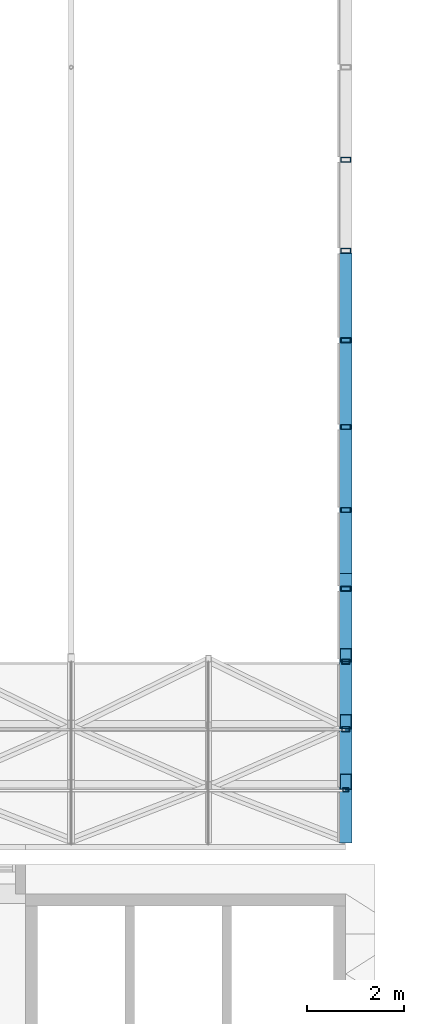
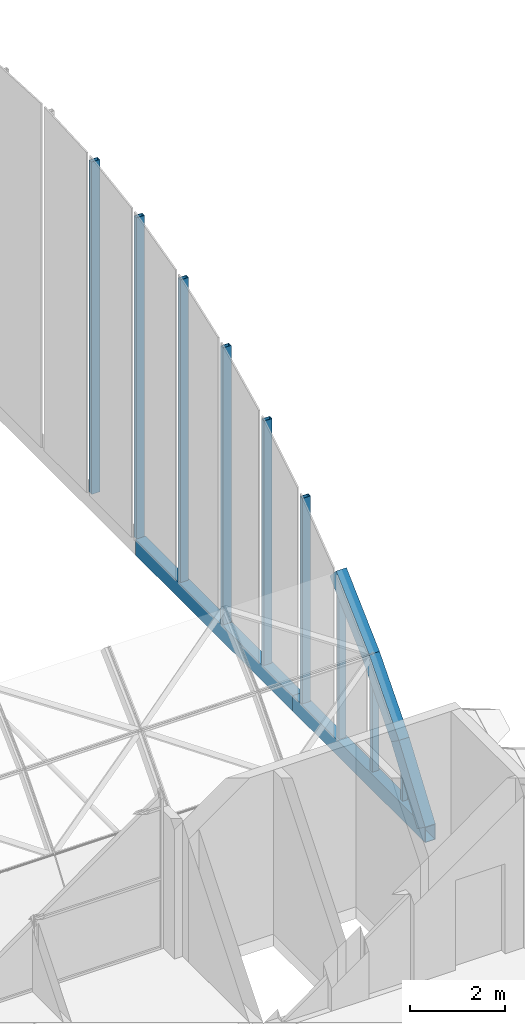
# One storey, part 30 of 109: 12 members, 2 beams.
"""IFC4 building model written with IfcOpenShell, lengths in metres."""

from ifc_helpers import new_model, si_unit, direction, frame, origin, origin_2d, place, context, subcontext, project, spatial, hollow_rectangle, extrude, material, material_profile, profile_set, type_object, element, save


model = new_model("IFC4")

# Units and contexts
model_context = context("Model", 3, precision=1e-05, world=origin(), true_north=direction((0.0, 1.0)))
body_context = subcontext(model_context, "Body", "Model", "MODEL_VIEW")
ifc_project = project(units=[si_unit("LENGTHUNIT", "METRE"), si_unit("AREAUNIT", "SQUARE_METRE"), si_unit("VOLUMEUNIT", "CUBIC_METRE"), si_unit("PLANEANGLEUNIT", "RADIAN"), si_unit("MASSUNIT", "GRAM", prefix="KILO")], contexts=[model_context])

# Site, building, storey
site_placement = place(None, origin())
site = spatial("IfcSite", under=ifc_project, at=site_placement, CompositionType="ELEMENT")
building_placement = place(site_placement, origin())
building = spatial("IfcBuilding", under=site, at=building_placement, Name="Lantern Court Research Institute", CompositionType="ELEMENT")
storey_placement = place(building_placement, frame((0.0, 0.0, 14.39990234375)))
storey = spatial("IfcBuildingStorey", under=building, at=storey_placement, Name="L03", CompositionType="ELEMENT", Elevation=14.39990234375)

# Members
ifc_material_1 = material(Name="Structural steel S355", Category="steel")
ifc_material_profile_1 = material_profile(ifc_material_1, hollow_rectangle(XDim=0.25, YDim=0.39990234375, WallThickness=0.01611328125, at=origin_2d()), Name="Gable arch RHS 400 x 250 x 16")
ifc_profile_set_1 = profile_set([ifc_material_profile_1], Name="Structural steel S355")
member_type_1 = type_object("IfcMemberType", Name="Gable arch RHS 400 x 250 x 16", PredefinedType="RAFTER", material=ifc_profile_set_1)
member_1_placement = place(storey_placement, frame((79.199951171875, 24.3134765625, 0.284912109375), z_axis=(0.0, 0.576249781335, 0.817273631969), x_axis=(-1.0, 0.0, 0.0)))
element("IfcMember", 1, at=member_1_placement, inside=storey, type_object=member_type_1, Name="Gable arch", PredefinedType="RAFTER", context=body_context, shape_type="SweptSolid", body=[
    extrude(hollow_rectangle(XDim=0.25, YDim=0.39990234375, WallThickness=0.01611328125, at=origin_2d()), origin(), (0.0, 0.0, 1.0), 1.90234375),
])
member_2_placement = place(storey_placement, frame((79.199951171875, 25.397216796875, 1.82373046875), z_axis=(0.0, 0.655492193344, 0.755201949458), x_axis=(-1.0, 0.0, 0.0)))
element("IfcMember", 2, at=member_2_placement, inside=storey, type_object=member_type_1, Name="Gable arch", PredefinedType="RAFTER", context=body_context, shape_type="SweptSolid", body=[
    extrude(hollow_rectangle(XDim=0.25, YDim=0.39990234375, WallThickness=0.01611328125, at=origin_2d()), origin(), (0.0, 0.0, 1.0), 1.902587890625),
])
member_3_placement = place(storey_placement, frame((79.199951171875, 26.63037109375, 3.24609375), z_axis=(0.0, 0.728151013069, 0.68541673613), x_axis=(-1.0, 0.0, 0.0)))
element("IfcMember", 3, at=member_3_placement, inside=storey, type_object=member_type_1, Name="Gable arch", PredefinedType="RAFTER", context=body_context, shape_type="SweptSolid", body=[
    extrude(hollow_rectangle(XDim=0.25, YDim=0.39990234375, WallThickness=0.01611328125, at=origin_2d()), origin(), (0.0, 0.0, 1.0), 1.90234375),
])
ifc_material_2 = material(Name="Structural steel S355", Category="steel")
ifc_material_profile_2 = material_profile(ifc_material_2, hollow_rectangle(XDim=0.1201171875, YDim=0.080078125, WallThickness=0.0048828125, at=origin_2d()), Name="Gable post RHS 120 x 80 x 5")
ifc_profile_set_2 = profile_set([ifc_material_profile_2], Name="Structural steel S355")
member_type_2 = type_object("IfcMemberType", Name="Gable post RHS 120 x 80 x 5", PredefinedType="POST", material=ifc_profile_set_2)
member_4_placement = place(storey_placement, frame((79.199951171875, 25.246337890625, 0.400146484375), z_axis=(0.0, 0.0, 1.0), x_axis=(1.0, 0.0, 0.0)))
element("IfcMember", 4, at=member_4_placement, inside=storey, type_object=member_type_2, Name="Gable post", PredefinedType="POST", context=body_context, shape_type="SweptSolid", body=[
    extrude(hollow_rectangle(XDim=0.1201171875, YDim=0.080078125, WallThickness=0.0048828125, at=origin_2d()), origin(), (0.0, 0.0, 1.0), 1.354736328125),
])
ifc_material_3 = material(Name="Structural steel S355", Category="steel")
ifc_material_profile_3 = material_profile(ifc_material_3, hollow_rectangle(XDim=0.159912109375, YDim=0.10009765625, WallThickness=0.00634765625, at=origin_2d()), Name="Gable post RHS 160 x 100 x 6.3")
ifc_profile_set_3 = profile_set([ifc_material_profile_3], Name="Structural steel S355")
member_type_3 = type_object("IfcMemberType", Name="Gable post RHS 160 x 100 x 6.3", PredefinedType="POST", material=ifc_profile_set_3)
member_5_placement = place(storey_placement, frame((79.199951171875, 26.493408203125, 0.400146484375), z_axis=(0.0, 0.0, 1.0), x_axis=(1.0, 0.0, 0.0)))
element("IfcMember", 5, at=member_5_placement, inside=storey, type_object=member_type_3, Name="Gable post", PredefinedType="POST", context=body_context, shape_type="SweptSolid", body=[
    extrude(hollow_rectangle(XDim=0.159912109375, YDim=0.10009765625, WallThickness=0.00634765625, at=origin_2d()), origin(), (0.0, 0.0, 1.0), 2.79150390625),
])
member_6_placement = place(storey_placement, frame((79.199951171875, 27.87841796875, 0.400146484375), z_axis=(0.0, 0.0, 1.0), x_axis=(1.0, 0.0, 0.0)))
element("IfcMember", 6, at=member_6_placement, inside=storey, type_object=member_type_3, Name="Gable post", PredefinedType="POST", context=body_context, shape_type="SweptSolid", body=[
    extrude(hollow_rectangle(XDim=0.159912109375, YDim=0.10009765625, WallThickness=0.00634765625, at=origin_2d()), origin(), (0.0, 0.0, 1.0), 4.095458984375),
])
ifc_material_4 = material(Name="Structural steel S355", Category="steel")
ifc_material_profile_4 = material_profile(ifc_material_4, hollow_rectangle(XDim=0.199951171875, YDim=0.10009765625, WallThickness=0.008056640625, at=origin_2d()), Name="Gable post RHS 200 x 100 x 8")
ifc_profile_set_4 = profile_set([ifc_material_profile_4], Name="Structural steel S355")
member_type_4 = type_object("IfcMemberType", Name="Gable post RHS 200 x 100 x 8", PredefinedType="POST", material=ifc_profile_set_4)
member_7_placement = place(storey_placement, frame((79.199951171875, 29.3876953125, 0.400146484375), z_axis=(0.0, 0.0, 1.0), x_axis=(1.0, 0.0, 0.0)))
element("IfcMember", 7, at=member_7_placement, inside=storey, type_object=member_type_4, Name="Gable post", PredefinedType="POST", context=body_context, shape_type="SweptSolid", body=[
    extrude(hollow_rectangle(XDim=0.199951171875, YDim=0.10009765625, WallThickness=0.008056640625, at=origin_2d()), origin(), (0.0, 0.0, 1.0), 5.253662109375),
])
member_8_placement = place(storey_placement, frame((79.199951171875, 31.005859375, 0.400146484375), z_axis=(0.0, 0.0, 1.0), x_axis=(1.0, 0.0, 0.0)))
element("IfcMember", 8, at=member_8_placement, inside=storey, type_object=member_type_4, Name="Gable post", PredefinedType="POST", context=body_context, shape_type="SweptSolid", body=[
    extrude(hollow_rectangle(XDim=0.199951171875, YDim=0.10009765625, WallThickness=0.008056640625, at=origin_2d()), origin(), (0.0, 0.0, 1.0), 6.25439453125),
])
member_9_placement = place(storey_placement, frame((79.199951171875, 32.71630859375, 0.400146484375), z_axis=(0.0, 0.0, 1.0), x_axis=(1.0, 0.0, 0.0)))
element("IfcMember", 9, at=member_9_placement, inside=storey, type_object=member_type_4, Name="Gable post", PredefinedType="POST", context=body_context, shape_type="SweptSolid", body=[
    extrude(hollow_rectangle(XDim=0.199951171875, YDim=0.10009765625, WallThickness=0.008056640625, at=origin_2d()), origin(), (0.0, 0.0, 1.0), 7.08740234375),
])
member_10_placement = place(storey_placement, frame((79.199951171875, 34.501708984375, 0.400146484375), z_axis=(0.0, 0.0, 1.0), x_axis=(1.0, 0.0, 0.0)))
element("IfcMember", 10, at=member_10_placement, inside=storey, type_object=member_type_4, Name="Gable post", PredefinedType="POST", context=body_context, shape_type="SweptSolid", body=[
    extrude(hollow_rectangle(XDim=0.199951171875, YDim=0.10009765625, WallThickness=0.008056640625, at=origin_2d()), origin(), (0.0, 0.0, 1.0), 7.744140625),
])
member_11_placement = place(storey_placement, frame((79.199951171875, 36.34423828125, 0.400146484375), z_axis=(0.0, 0.0, 1.0), x_axis=(1.0, 0.0, 0.0)))
element("IfcMember", 11, at=member_11_placement, inside=storey, type_object=member_type_4, Name="Gable post", PredefinedType="POST", context=body_context, shape_type="SweptSolid", body=[
    extrude(hollow_rectangle(XDim=0.199951171875, YDim=0.10009765625, WallThickness=0.008056640625, at=origin_2d()), origin(), (0.0, 0.0, 1.0), 8.218017578125),
])
member_12_placement = place(storey_placement, frame((79.199951171875, 38.224853515625, 0.400146484375), z_axis=(0.0, 0.0, 1.0), x_axis=(1.0, 0.0, 0.0)))
element("IfcMember", 12, at=member_12_placement, inside=storey, type_object=member_type_4, Name="Gable post", PredefinedType="POST", context=body_context, shape_type="SweptSolid", body=[
    extrude(hollow_rectangle(XDim=0.199951171875, YDim=0.10009765625, WallThickness=0.008056640625, at=origin_2d()), origin(), (0.0, 0.0, 1.0), 8.504150390625),
])

# Beams
ifc_material_5 = material(Name="Structural steel S355", Category="steel")
ifc_material_profile_5 = material_profile(ifc_material_5, hollow_rectangle(XDim=0.25, YDim=0.39990234375, WallThickness=0.012451171875, at=origin_2d()), Name="Gable sill beam RHS 400 x 250 x 12.5")
ifc_profile_set_5 = profile_set([ifc_material_profile_5], Name="Structural steel S355")
beam_type = type_object("IfcBeamType", Name="Gable sill beam RHS 400 x 250 x 12.5", PredefinedType="BEAM", material=ifc_profile_set_5)
beam_1_placement = place(storey_placement, frame((79.199951171875, 24.14990234375, 0.2001953125), z_axis=(0.0, 1.0, 0.0), x_axis=(-1.0, 0.0, 0.0)))
element("IfcBeam", 13, at=beam_1_placement, inside=storey, type_object=beam_type, Name="Sill beam E", PredefinedType="BEAM", context=body_context, shape_type="SweptSolid", body=[
    extrude(hollow_rectangle(XDim=0.25, YDim=0.39990234375, WallThickness=0.012451171875, at=origin_2d()), origin(), (0.0, 0.0, 1.0), 5.550048828125),
])
beam_2_placement = place(storey_placement, frame((79.199951171875, 29.699951171875, 0.2001953125), z_axis=(0.0, 1.0, 0.0), x_axis=(-1.0, 0.0, 0.0)))
element("IfcBeam", 14, at=beam_2_placement, inside=storey, type_object=beam_type, Name="Sill beam E", PredefinedType="BEAM", context=body_context, shape_type="SweptSolid", body=[
    extrude(hollow_rectangle(XDim=0.25, YDim=0.39990234375, WallThickness=0.012451171875, at=origin_2d()), origin(), (0.0, 0.0, 1.0), 6.60009765625),
])

save(model, "model.ifc")
